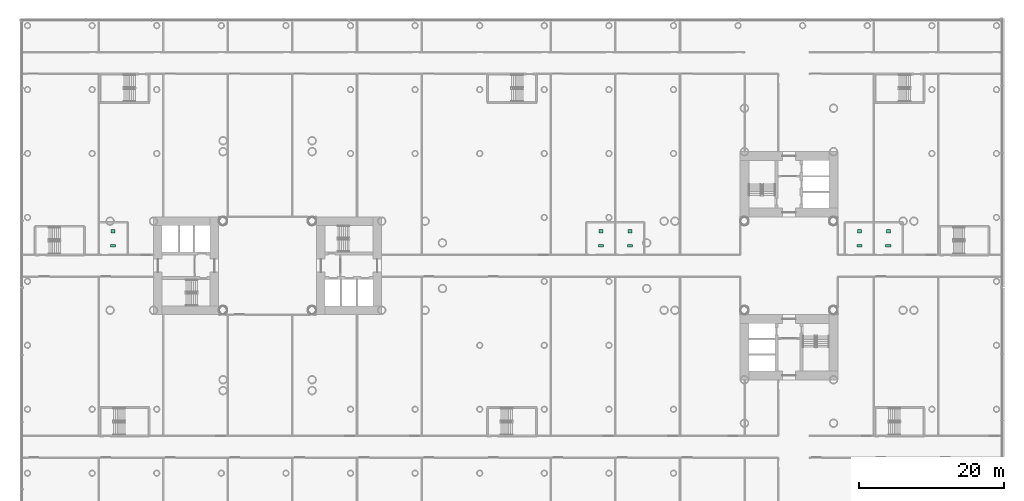
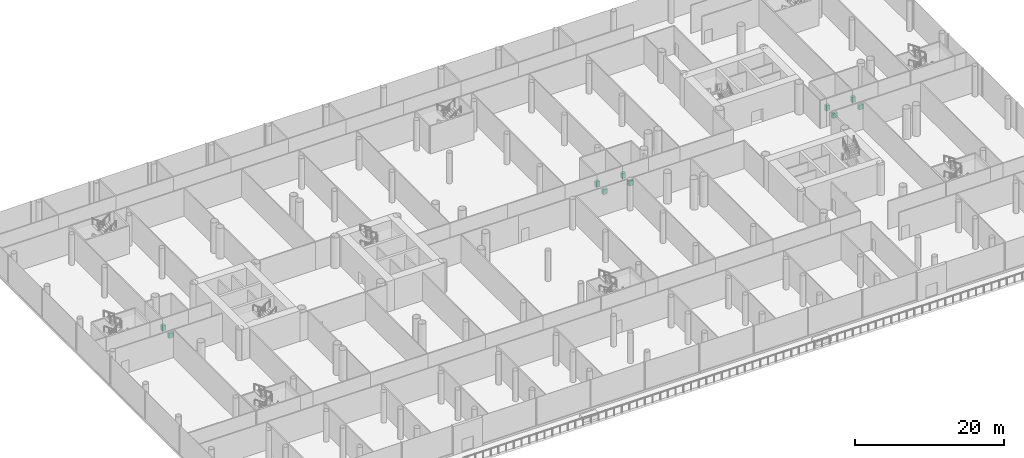
# One storey, part 59 of 59: 10 sanitary terminals.
"""IFC4 building model written with IfcOpenShell, lengths in metres."""

from ifc_helpers import new_model, si_unit, direction, frame, origin, origin_2d, place, context, subcontext, project, spatial, rectangle, extrude, material, type_object, element, save


model = new_model("IFC4")

# Units and contexts
model_context = context("Model", 3, precision=1e-05, world=origin(), true_north=direction((0.0, 1.0)))
body_context = subcontext(model_context, "Body", "Model", "MODEL_VIEW")
ifc_project = project(units=[si_unit("LENGTHUNIT", "METRE"), si_unit("AREAUNIT", "SQUARE_METRE"), si_unit("VOLUMEUNIT", "CUBIC_METRE"), si_unit("PLANEANGLEUNIT", "RADIAN"), si_unit("MASSUNIT", "GRAM", prefix="KILO")], contexts=[model_context])

# Site, building, storey
site_placement = place(None, origin())
site = spatial("IfcSite", under=ifc_project, at=site_placement, CompositionType="ELEMENT")
building_placement = place(site_placement, origin())
building = spatial("IfcBuilding", under=site, at=building_placement, Name="Ipe Terrace Towers", CompositionType="ELEMENT")
storey_placement = place(building_placement, frame((0.0, 0.0, 6.0)))
storey = spatial("IfcBuildingStorey", under=building, at=storey_placement, Name="L01", CompositionType="ELEMENT", Elevation=6.0)

# Sanitary terminals
ifc_material_1 = material(Name="Vitreous china", Category="ceramic")
sanitary_terminal_type_1 = type_object("IfcSanitaryTerminalType", Name="Wash basin", PredefinedType="WASHHANDBASIN", material=ifc_material_1)
for number, where, z_axis, x_axis, name in (
    (1, (-57.330078125, 4.75, 0.0), (0.0, 0.0, 1.0), (1.0, 0.0, 0.0), "Wash basin"),
    (2, (10.030029296875, 4.75, 0.0), (0.0, 0.0, 1.0), (1.0, 0.0, 0.0), "Wash basin"),
    (3, (14.030029296875, 4.75, 0.0), (0.0, 0.0, 1.0), (1.0, 0.0, 0.0), "Wash basin"),
    (4, (45.7099609375, 4.75, 0.0), (0.0, 0.0, 1.0), (1.0, 0.0, 0.0), "Wash basin"),
    (5, (49.7099609375, 4.75, 0.0), (0.0, 0.0, 1.0), (1.0, 0.0, 0.0), "Wash basin"),
):
    element("IfcSanitaryTerminal", number, at=place(storey_placement, frame(where, z_axis=z_axis, x_axis=x_axis)), inside=storey, type_object=sanitary_terminal_type_1, Name=name, PredefinedType="WASHHANDBASIN", context=body_context, shape_type="SweptSolid", body=[
        extrude(rectangle(XDim=0.550048828125, YDim=0.449951171875, at=origin_2d()), origin(), (0.0, 0.0, 1.0), 0.85009765625),
    ])
ifc_material_2 = material(Name="Vitreous china", Category="ceramic")
sanitary_terminal_type_2 = type_object("IfcSanitaryTerminalType", Name="Water closet", PredefinedType="TOILETPAN", material=ifc_material_2)
for number, where, z_axis, x_axis, name in (
    (6, (-57.330078125, 2.75, 0.0), (0.0, 0.0, 1.0), (1.0, 0.0, 0.0), "Water closet"),
    (7, (10.030029296875, 2.75, 0.0), (0.0, 0.0, 1.0), (1.0, 0.0, 0.0), "Water closet"),
    (8, (14.030029296875, 2.75, 0.0), (0.0, 0.0, 1.0), (1.0, 0.0, 0.0), "Water closet"),
    (9, (45.7099609375, 2.75, 0.0), (0.0, 0.0, 1.0), (1.0, 0.0, 0.0), "Water closet"),
    (10, (49.7099609375, 2.75, 0.0), (0.0, 0.0, 1.0), (1.0, 0.0, 0.0), "Water closet"),
):
    element("IfcSanitaryTerminal", number, at=place(storey_placement, frame(where, z_axis=z_axis, x_axis=x_axis)), inside=storey, type_object=sanitary_terminal_type_2, Name=name, PredefinedType="TOILETPAN", context=body_context, shape_type="SweptSolid", body=[
        extrude(rectangle(XDim=0.699951171875, YDim=0.39990234375, at=origin_2d()), origin(), (0.0, 0.0, 1.0), 0.780029296875),
    ])

save(model, "model.ifc")
